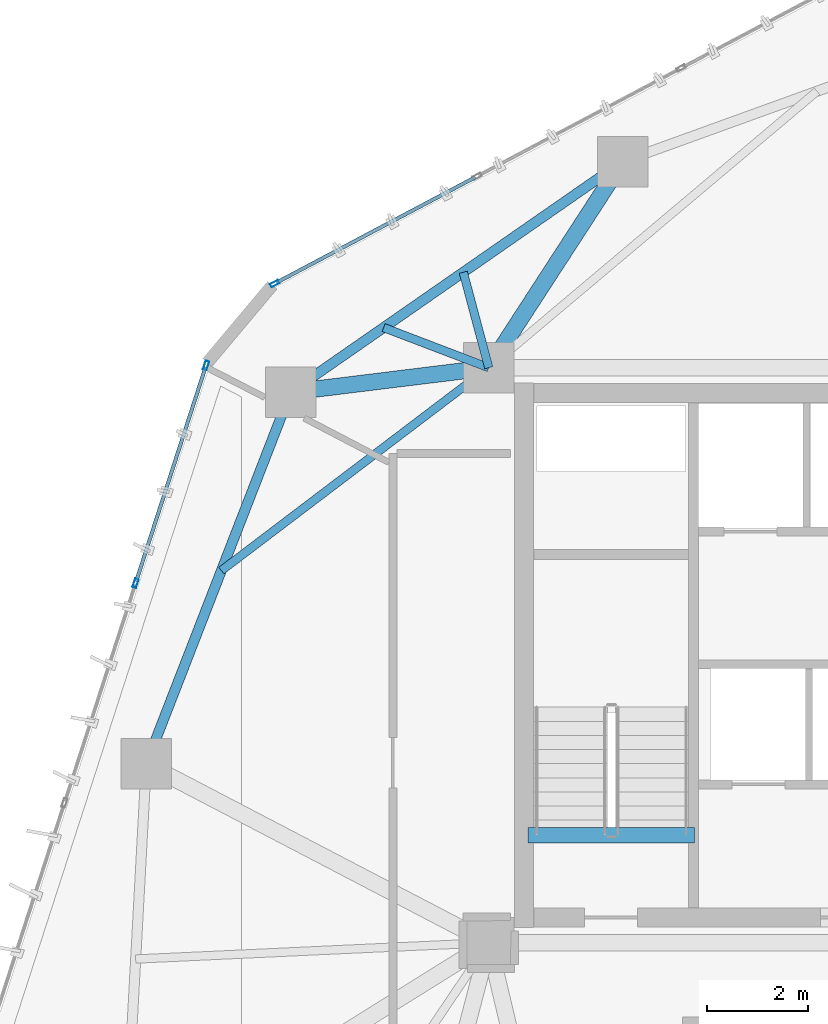
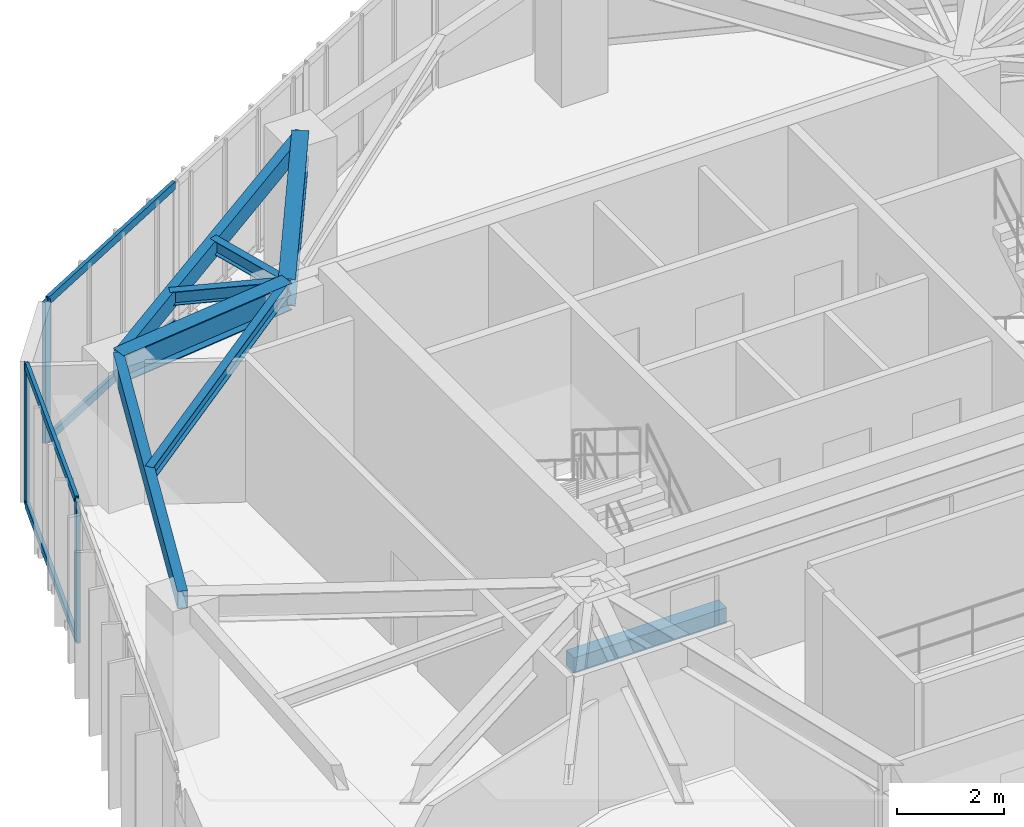
# One storey, part 8 of 19: 8 beams, 7 members, 2 elements without a shape of their own.
"""IFC4 building model written with IfcOpenShell, lengths in metres."""

from ifc_helpers import new_model, si_unit, direction, frame, origin, origin_2d, place, context, subcontext, project, spatial, rectangle, hollow_rectangle, i_section, extrude, source, transform, mapped, material, layer, layer_set, material_profile, profile_set, type_object, type_shapes, element, aggregate, save


model = new_model("IFC4")

# Units and contexts
model_context = context("Model", 3, precision=1e-05, world=origin(), true_north=direction((0.0, 1.0)))
body_context = subcontext(model_context, "Body", "Model", "MODEL_VIEW")
ifc_project = project(units=[si_unit("LENGTHUNIT", "METRE"), si_unit("AREAUNIT", "SQUARE_METRE"), si_unit("VOLUMEUNIT", "CUBIC_METRE"), si_unit("PLANEANGLEUNIT", "RADIAN"), si_unit("MASSUNIT", "GRAM", prefix="KILO")], contexts=[model_context])

# Site, building, storey
site_placement = place(None, origin())
site = spatial("IfcSite", under=ifc_project, at=site_placement, CompositionType="ELEMENT")
building_placement = place(site_placement, origin())
building = spatial("IfcBuilding", under=site, at=building_placement, Name="Talar Marvaseh", CompositionType="ELEMENT")
storey_placement = place(building_placement, frame((0.0, 0.0, 174.0)))
storey = spatial("IfcBuildingStorey", under=building, at=storey_placement, Name="L45", CompositionType="ELEMENT", Elevation=174.0)

# Beams
ifc_material_1 = material(Name="Concrete C40/50", Category="concrete")
ifc_material_profile_1 = material_profile(ifc_material_1, rectangle(XDim=0.300048828125, YDim=0.360107421875, at=origin_2d()), Name="RC300x360")
ifc_profile_set_1 = profile_set([ifc_material_profile_1], Name="Concrete C40/50")
beam_type_1 = type_object("IfcBeamType", Name="Concrete Stair Landing Trimmer Beam RC300x360", PredefinedType="SPANDREL", material=ifc_profile_set_1)
beam_1_placement = place(storey_placement, frame((22.780029296875, 27.6298828125, -0.179931640625), z_axis=(-1.0, 0.0, 0.0), x_axis=(0.0, -1.0, 0.0)))
element("IfcBeam", 1, at=beam_1_placement, inside=storey, type_object=beam_type_1, Name="L45 ST-1 Stair Nosing Trimmer Beam", PredefinedType="SPANDREL", context=body_context, shape_type="SweptSolid", body=[
    extrude(rectangle(XDim=0.300048828125, YDim=0.360107421875, at=origin_2d()), origin(), (0.0, 0.0, 1.0), 3.300048828125),
])
ifc_material_2 = material(Name="Steel S355", Category="steel")
ifc_material_profile_2 = material_profile(ifc_material_2, hollow_rectangle(XDim=0.199951171875, YDim=0.39990234375, WallThickness=0.013916015625, at=origin_2d()), Name="RHS400x200x14")
ifc_profile_set_2 = profile_set([ifc_material_profile_2], Name="Steel S355")
beam_type_2 = type_object("IfcBeamType", Name="Zone 3 Perimeter Spandrel Beam RHS400x200x14", PredefinedType="SPANDREL", material=ifc_profile_set_2)
beam_2_placement = place(storey_placement, frame((11.908935546875, 29.044921875, 3.030029296875), z_axis=(0.362169134611, 0.932112395548, 0.0), x_axis=(-0.932112395548, 0.362169134611, 0.0)))
element("IfcBeam", 2, at=beam_2_placement, inside=storey, type_object=beam_type_2, Name="L45 Zone 3 Perimeter Spandrel Beam RHS400x200x14", PredefinedType="SPANDREL", context=body_context, shape_type="SweptSolid", body=[
    extrude(hollow_rectangle(XDim=0.199951171875, YDim=0.39990234375, WallThickness=0.013916015625, at=origin_2d()), origin(), (0.0, 0.0, 1.0), 7.907958984375),
])
beam_3_placement = place(storey_placement, frame((14.77294921875, 36.416015625, 3.030029296875), z_axis=(0.821296978901, 0.570500896098, 0.0), x_axis=(-0.570500896098, 0.821296978901, 0.0)))
element("IfcBeam", 3, at=beam_3_placement, inside=storey, type_object=beam_type_2, Name="L45 Zone 3 Perimeter Spandrel Beam RHS400x200x14", PredefinedType="SPANDREL", context=body_context, shape_type="SweptSolid", body=[
    extrude(hollow_rectangle(XDim=0.199951171875, YDim=0.39990234375, WallThickness=0.013916015625, at=origin_2d()), origin(), (0.0, 0.0, 1.0), 8.0107421875),
])
ifc_material_profile_3 = material_profile(ifc_material_2, i_section(OverallWidth=0.324951171875, OverallDepth=0.615966796875, WebThickness=0.013916015625, FlangeThickness=0.021484375, at=origin_2d()), Name="W610x174")
ifc_profile_set_3 = profile_set([ifc_material_profile_3], Name="Steel S355")
beam_type_3 = type_object("IfcBeamType", Name="Zone 3 Radial Floor Girder W610x174", PredefinedType="BEAM", material=ifc_profile_set_3)
beam_4_placement = place(storey_placement, frame((14.77294921875, 36.416015625, 2.922119140625), z_axis=(0.99249373738, 0.122295467049, 0.0), x_axis=(-0.122295467049, 0.99249373738, 0.0)))
element("IfcBeam", 4, at=beam_4_placement, inside=storey, type_object=beam_type_3, Name="L45 Zone 3 Radial Floor Girder W610x174", PredefinedType="BEAM", context=body_context, shape_type="SweptSolid", body=[
    extrude(i_section(OverallWidth=0.324951171875, OverallDepth=0.615966796875, WebThickness=0.013916015625, FlangeThickness=0.021484375, at=origin_2d()), origin(), (0.0, 0.0, 1.0), 3.956787109375),
])
beam_5_placement = place(storey_placement, frame((21.35205078125, 40.986083984375, 2.922119140625), z_axis=(-0.544422757063, -0.838810980849, 0.0), x_axis=(0.838810980849, -0.544422757063, 0.0)))
element("IfcBeam", 5, at=beam_5_placement, inside=storey, type_object=beam_type_3, Name="L45 Zone 3 Radial Floor Girder W610x174", PredefinedType="BEAM", context=body_context, shape_type="SweptSolid", body=[
    extrude(i_section(OverallWidth=0.324951171875, OverallDepth=0.615966796875, WebThickness=0.013916015625, FlangeThickness=0.021484375, at=origin_2d()), origin(), (0.0, 0.0, 1.0), 4.871337890625),
])
ifc_material_profile_4 = material_profile(ifc_material_2, i_section(OverallWidth=0.166015625, OverallDepth=0.31298828125, WebThickness=0.006591796875, FlangeThickness=0.01123046875, at=origin_2d()), Name="W310x45")
ifc_profile_set_4 = profile_set([ifc_material_profile_4], Name="Steel S355")
beam_type_4 = type_object("IfcBeamType", Name="Zone 3 Secondary Floor Joist W310x45", PredefinedType="JOIST", material=ifc_profile_set_4)
beam_6_placement = place(storey_placement, frame((13.398193359375, 32.8779296875, 3.073486328125), z_axis=(0.796694925744, 0.604381663598, 0.0), x_axis=(-0.604381663598, 0.796694925744, 0.0)))
element("IfcBeam", 6, at=beam_6_placement, inside=storey, type_object=beam_type_4, Name="L45 Zone 3 Secondary Floor Joist W310x45", PredefinedType="JOIST", context=body_context, shape_type="SweptSolid", body=[
    extrude(i_section(OverallWidth=0.166015625, OverallDepth=0.31298828125, WebThickness=0.006591796875, FlangeThickness=0.01123046875, at=origin_2d()), origin(), (0.0, 0.0, 1.0), 6.65478515625),
])
beam_7_placement = place(storey_placement, frame((16.614990234375, 37.695556640625, 3.073486328125), z_axis=(0.934281341688, -0.356536638473, 0.0), x_axis=(0.356536638473, 0.934281341688, 0.0)))
element("IfcBeam", 7, at=beam_7_placement, inside=storey, type_object=beam_type_4, Name="L45 Zone 3 Secondary Floor Joist W310x45", PredefinedType="JOIST", context=body_context, shape_type="SweptSolid", body=[
    extrude(i_section(OverallWidth=0.166015625, OverallDepth=0.31298828125, WebThickness=0.006591796875, FlangeThickness=0.01123046875, at=origin_2d()), origin(), (0.0, 0.0, 1.0), 2.231689453125),
])
beam_8_placement = place(storey_placement, frame((18.194091796875, 38.79248046875, 3.073486328125), z_axis=(0.258221088864, -0.966085849842, 0.0), x_axis=(0.966085849842, 0.258221088864, 0.0)))
element("IfcBeam", 8, at=beam_8_placement, inside=storey, type_object=beam_type_4, Name="L45 Zone 3 Secondary Floor Joist W310x45", PredefinedType="JOIST", context=body_context, shape_type="SweptSolid", body=[
    extrude(i_section(OverallWidth=0.166015625, OverallDepth=0.31298828125, WebThickness=0.006591796875, FlangeThickness=0.01123046875, at=origin_2d()), origin(), (0.0, 0.0, 1.0), 1.958984375),
])

# Curtain wall, members
ifc_material_3 = material(Name="Architectural Aluminium", Category="aluminium")
ifc_layer = layer(ifc_material_3, 0.18994140625)
ifc_layer_set = layer_set([ifc_layer], Name="Architectural Aluminium")
curtain_wall_type = type_object("IfcCurtainWallType", Name="Unitised Solar Atelier Curtain Wall Z3", PredefinedType="NOTDEFINED", material=ifc_layer_set)
curtain_wall_1_placement = place(storey_placement, origin())
curtain_wall_1 = element("IfcCurtainWall", 9, at=curtain_wall_1_placement, inside=storey, type_object=curtain_wall_type, Name="L45 Unitised Solar Atelier Curtain Wall Z3", PredefinedType="NOTDEFINED")
ifc_material_profile_5 = material_profile(ifc_material_3, hollow_rectangle(XDim=0.074951171875, YDim=0.179931640625, WallThickness=0.0048828125, at=origin_2d()), Name="RHS180x75x5")
ifc_profile_set_5 = profile_set([ifc_material_profile_5], Name="Architectural Aluminium")
member_type_1 = type_object("IfcMemberType", Name="Unitised Curtain Wall Standard Mullion RHS180x75x5", PredefinedType="MULLION", material=ifc_profile_set_5)
shared_shape_1 = source(origin(), body_context, "Body", "SweptSolid", [
    extrude(hollow_rectangle(XDim=0.074951171875, YDim=0.179931640625, WallThickness=0.0048828125, at=origin_2d()), origin(), (0.0, 0.0, 1.0), 3.22998046875),
])
type_shapes(member_type_1, [shared_shape_1])
member_1_placement = place(storey_placement, frame((11.6982421875, 32.62646484375, 0.0), z_axis=(0.0, 0.0, 1.0), x_axis=(-0.951423501741, 0.307885238903, 0.0)))
member_1 = element("IfcMember", 10, at=member_1_placement, type_object=member_type_1, Name="CW-Z3 mullion 3", PredefinedType="MULLION", context=body_context, shape_type="MappedRepresentation", body=[
    mapped(shared_shape_1, transform((0.0, 0.0, 0.0), x_axis=(1.0, 0.0, 0.0), y_axis=(0.0, 1.0, 0.0), z_axis=(0.0, 0.0, 1.0), scale=1.0)),
])
member_2_placement = place(storey_placement, frame((13.095947265625, 36.945556640625, 0.0), z_axis=(0.0, 0.0, 1.0), x_axis=(-0.951423501741, 0.307885238903, 0.0)))
member_2 = element("IfcMember", 11, at=member_2_placement, type_object=member_type_1, Name="CW-Z3 mullion 4", PredefinedType="MULLION", context=body_context, shape_type="MappedRepresentation", body=[
    mapped(shared_shape_1, transform((0.0, 0.0, 0.0), x_axis=(1.0, 0.0, 0.0), y_axis=(0.0, 1.0, 0.0), z_axis=(0.0, 0.0, 1.0), scale=1.0)),
])

# Curtain wall, member
curtain_wall_2_placement = place(storey_placement, origin())
curtain_wall_2 = element("IfcCurtainWall", 12, at=curtain_wall_2_placement, inside=storey, type_object=curtain_wall_type, Name="L45 Unitised Solar Atelier Curtain Wall Z3", PredefinedType="NOTDEFINED")
member_3_placement = place(storey_placement, frame((14.45703125, 38.56787109375, 0.0), z_axis=(0.0, 0.0, 1.0), x_axis=(-0.468426669756, 0.883502379771, 0.0)))
member_3 = element("IfcMember", 13, at=member_3_placement, type_object=member_type_1, Name="CW-Z3 mullion 1", PredefinedType="MULLION", context=body_context, shape_type="MappedRepresentation", body=[
    mapped(shared_shape_1, transform((0.0, 0.0, 0.0), x_axis=(1.0, 0.0, 0.0), y_axis=(0.0, 1.0, 0.0), z_axis=(0.0, 0.0, 1.0), scale=1.0)),
])

# Member
ifc_material_profile_6 = material_profile(ifc_material_3, hollow_rectangle(XDim=0.074951171875, YDim=0.179931640625, WallThickness=0.0048828125, at=origin_2d()), Name="RHS180x75x5")
ifc_profile_set_6 = profile_set([ifc_material_profile_6], Name="Architectural Aluminium")
member_type_2 = type_object("IfcMemberType", Name="Unitised Curtain Wall Transom RHS180x75x5", PredefinedType="USERDEFINED", material=ifc_profile_set_6)
shared_shape_2 = source(origin(), body_context, "Body", "SweptSolid", [
    extrude(hollow_rectangle(XDim=0.074951171875, YDim=0.179931640625, WallThickness=0.0048828125, at=origin_2d()), origin(), (0.0, 0.0, 1.0), 4.464599609375),
])
type_shapes(member_type_2, [shared_shape_2])
member_4_placement = place(storey_placement, frame((11.709716796875, 32.662109375, 0.03759765625), z_axis=(0.307865418902, 0.951429915361, 0.0), x_axis=(-0.951429915361, 0.307865418902, 0.0)))
member_4 = element("IfcMember", 14, at=member_4_placement, type_object=member_type_2, Name="CW-Z3 transom 3.1", ObjectType="TRANSOM", PredefinedType="USERDEFINED", context=body_context, shape_type="MappedRepresentation", body=[
    mapped(shared_shape_2, transform((0.0, 0.0, 0.0), x_axis=(1.0, 0.0, 0.0), y_axis=(0.0, 1.0, 0.0), z_axis=(0.0, 0.0, 1.0), scale=1.0)),
])

member_5_placement = place(storey_placement, frame((11.709716796875, 32.662109375, 3.1923828125), z_axis=(0.307865418902, 0.951429915361, 0.0), x_axis=(-0.951429915361, 0.307865418902, 0.0)))
member_5 = element("IfcMember", 15, at=member_5_placement, type_object=member_type_2, Name="CW-Z3 transom 3.2", ObjectType="TRANSOM", PredefinedType="USERDEFINED", context=body_context, shape_type="MappedRepresentation", body=[
    mapped(shared_shape_2, transform((0.0, 0.0, 0.0), x_axis=(1.0, 0.0, 0.0), y_axis=(0.0, 1.0, 0.0), z_axis=(0.0, 0.0, 1.0), scale=1.0)),
])

aggregate(curtain_wall_1, [member_1, member_2, member_4, member_5])

member_6_placement = place(storey_placement, frame((14.490234375, 38.58544921875, 0.03759765625), z_axis=(0.883509764894, 0.468412740365, 0.0), x_axis=(-0.468412740365, 0.883509764894, 0.0)))
member_6 = element("IfcMember", 16, at=member_6_placement, type_object=member_type_2, Name="CW-Z3 transom 1.1", ObjectType="TRANSOM", PredefinedType="USERDEFINED", context=body_context, shape_type="MappedRepresentation", body=[
    mapped(shared_shape_2, transform((0.0, 0.0, 0.0), x_axis=(1.0, 0.0, 0.0), y_axis=(0.0, 1.0, 0.0), z_axis=(0.0, 0.0, 1.0), scale=1.0)),
])

member_7_placement = place(storey_placement, frame((14.490234375, 38.58544921875, 3.1923828125), z_axis=(0.883509764894, 0.468412740365, 0.0), x_axis=(-0.468412740365, 0.883509764894, 0.0)))
member_7 = element("IfcMember", 17, at=member_7_placement, type_object=member_type_2, Name="CW-Z3 transom 1.2", ObjectType="TRANSOM", PredefinedType="USERDEFINED", context=body_context, shape_type="MappedRepresentation", body=[
    mapped(shared_shape_2, transform((0.0, 0.0, 0.0), x_axis=(1.0, 0.0, 0.0), y_axis=(0.0, 1.0, 0.0), z_axis=(0.0, 0.0, 1.0), scale=1.0)),
])

aggregate(curtain_wall_2, [member_3, member_6, member_7])

save(model, "model.ifc")
